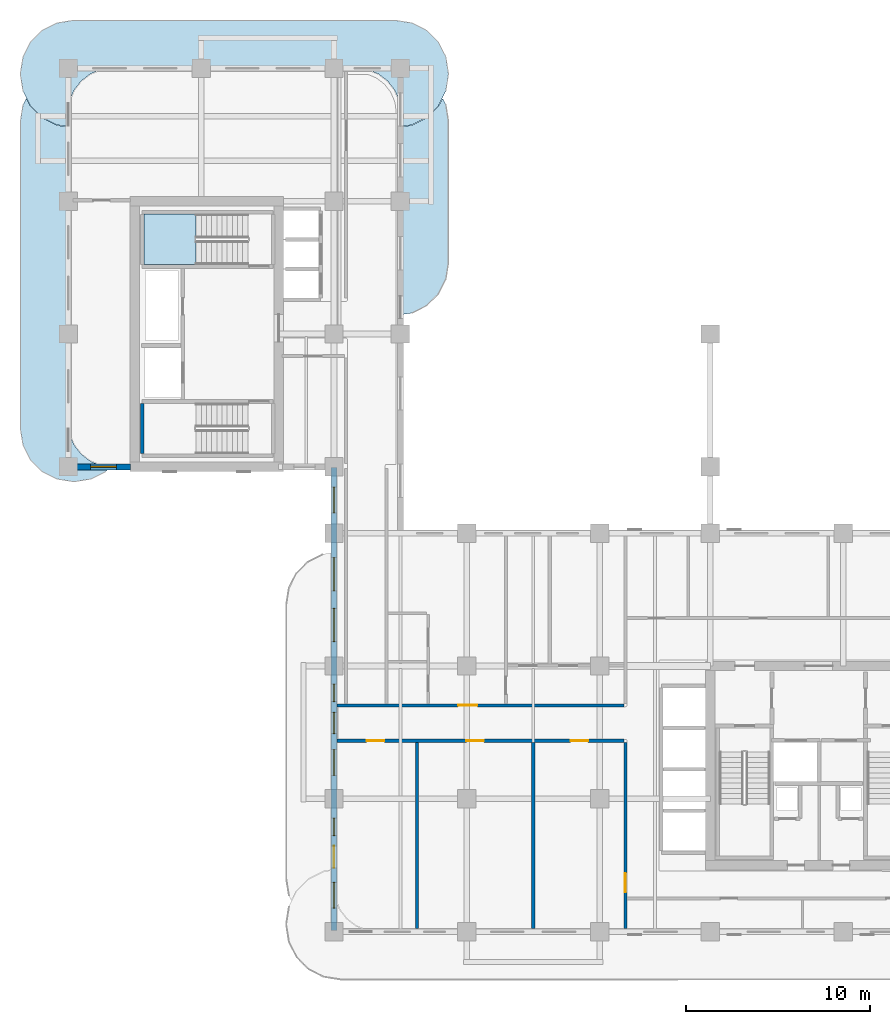
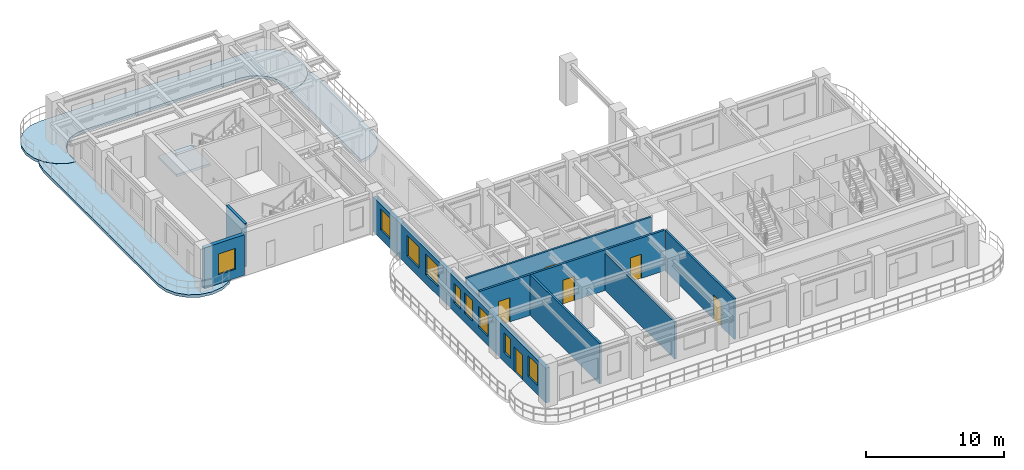
# One storey, part 5 of 15: 9 windows, 8 walls, 6 doors, 4 slabs, 15 openings, 1 element without a shape of its own.
"""IFC4 building model written with IfcOpenShell, lengths in metres."""

from ifc_helpers import new_model, si_unit, derived_unit, direction, frame, frame_2d, origin, place, context, subcontext, project, spatial, polyline, rectangle, outline, extrude, source, transform, mapped, material, layer, layer_set, type_object, type_shapes, element, fill, aggregate, save


model = new_model("IFC4")

# Units and contexts
model_context = context("Model", 3, precision=1e-05, world=origin(), true_north=direction((0.0, 1.0)))
body_context = subcontext(model_context, "Body", "Model", "MODEL_VIEW")
ifc_project = project(units=[si_unit("LENGTHUNIT", "METRE"), si_unit("AREAUNIT", "SQUARE_METRE"), si_unit("VOLUMEUNIT", "CUBIC_METRE"), si_unit("PLANEANGLEUNIT", "RADIAN"), si_unit("MASSUNIT", "GRAM", prefix="KILO"), si_unit("THERMODYNAMICTEMPERATUREUNIT", "KELVIN"), si_unit("POWERUNIT", "WATT"), derived_unit("THERMALTRANSMITTANCEUNIT", [(si_unit("POWERUNIT", "WATT"), 1), (si_unit("AREAUNIT", "SQUARE_METRE"), -1), (si_unit("THERMODYNAMICTEMPERATUREUNIT", "KELVIN"), -1)])], contexts=[model_context])

# Site, building, storey
site_placement = place(None, origin())
site = spatial("IfcSite", under=ifc_project, at=site_placement, CompositionType="ELEMENT")
building_placement = place(site_placement, origin())
building = spatial("IfcBuilding", under=site, at=building_placement, Name="Zahravan Archway Hotel and Residences", CompositionType="ELEMENT")
storey_placement = place(building_placement, frame((0.0, 0.0, 184.949951171875)))
storey = spatial("IfcBuildingStorey", under=building, at=storey_placement, Name="L46", CompositionType="ELEMENT", Elevation=184.949951171875)

# Slabs
ifc_material_1 = material(Name="Concrete C45/55", Category="concrete")
ifc_layer_1 = layer(ifc_material_1, 0.25, Name="Concrete C45/55", Category="concrete")
ifc_layer_set_1 = layer_set([ifc_layer_1], Name="Concrete C45/55")
slab_type_1 = type_object("IfcSlabType", Name="SLB-BALC-250", PredefinedType="FLOOR", material=ifc_layer_set_1)
slab_1_placement = place(storey_placement, frame((0.0, 0.0, -0.25)))
element("IfcSlab", 1, at=slab_1_placement, inside=storey, type_object=slab_type_1, Name="L46 Wing B North Rounded Balcony Band", PredefinedType="FLOOR", context=body_context, shape_type="SweptSolid", body=[
    extrude(outline(polyline([(-0.630615234375, 43.739501953125), (-1.42529296875, 44.144287109375), (-2.0556640625, 44.77490234375), (-2.46044921875, 45.5693359375), (-2.60009765625, 46.449951171875), (-2.60009765625, 46.550048828125), (-2.46044921875, 47.4306640625), (-2.0556640625, 48.22509765625), (-1.42529296875, 48.855712890625), (-0.630615234375, 49.260498046875), (0.25, 49.39990234375), (17.75, 49.39990234375), (18.630615234375, 49.260498046875), (19.42529296875, 48.855712890625), (20.0556640625, 48.22509765625), (20.46044921875, 47.4306640625), (20.60009765625, 46.550048828125), (20.60009765625, 46.449951171875), (20.46044921875, 45.5693359375), (20.0556640625, 44.77490234375), (19.42529296875, 44.144287109375), (18.630615234375, 43.739501953125), (18.02001953125, 43.642822265625), (18.02001953125, 44.39990234375), (18.019775390625, 44.402587890625), (17.93798828125, 45.023681640625), (17.937744140625, 45.025390625), (17.937255859375, 45.027099609375), (17.936767578125, 45.02880859375), (17.697021484375, 45.607666015625), (17.6962890625, 45.609130859375), (17.6953125, 45.610595703125), (17.6943359375, 45.6123046875), (17.31298828125, 46.109375), (17.311767578125, 46.110595703125), (17.310546875, 46.11181640625), (17.309326171875, 46.113037109375), (16.812255859375, 46.494384765625), (16.810791015625, 46.495361328125), (16.80908203125, 46.49609375), (16.8076171875, 46.4970703125), (16.22900390625, 46.73681640625), (16.227294921875, 46.7373046875), (16.2255859375, 46.73779296875), (16.223876953125, 46.738037109375), (15.6025390625, 46.81982421875), (15.60009765625, 46.820068359375), (2.39990234375, 46.820068359375), (2.3974609375, 46.81982421875), (1.776123046875, 46.738037109375), (1.7744140625, 46.73779296875), (1.772705078125, 46.7373046875), (1.77099609375, 46.73681640625), (1.1923828125, 46.4970703125), (1.19091796875, 46.49609375), (1.189208984375, 46.495361328125), (1.187744140625, 46.494384765625), (0.690673828125, 46.113037109375), (0.689453125, 46.11181640625), (0.688232421875, 46.110595703125), (0.68701171875, 46.109375), (0.3056640625, 45.6123046875), (0.3046875, 45.610595703125), (0.3037109375, 45.609130859375), (0.302978515625, 45.607666015625), (0.063232421875, 45.02880859375), (0.062744140625, 45.027099609375), (0.062255859375, 45.025390625), (0.06201171875, 45.023681640625), (-0.019775390625, 44.402587890625), (-0.02001953125, 44.39990234375), (-0.02001953125, 43.642822265625), (-0.630615234375, 43.739501953125)])), origin(), (0.0, 0.0, 1.0), 0.25),
])
slab_2_placement = place(storey_placement, frame((0.0, 0.0, -0.25)))
element("IfcSlab", 2, at=slab_2_placement, inside=storey, type_object=slab_type_1, Name="L46 Wing B West Rounded Balcony Band", PredefinedType="FLOOR", context=body_context, shape_type="SweptSolid", body=[
    extrude(outline(polyline([(2.025146484375, 24.9443359375), (1.230712890625, 24.53955078125), (0.35009765625, 24.39990234375), (0.25, 24.39990234375), (-0.630615234375, 24.53955078125), (-1.42529296875, 24.9443359375), (-2.0556640625, 25.57470703125), (-2.46044921875, 26.369384765625), (-2.60009765625, 27.25), (-2.60009765625, 43.949951171875), (-2.46044921875, 44.830810546875), (-2.28369140625, 45.177978515625), (-2.073486328125, 44.765625), (-2.072509765625, 44.763916015625), (-2.0712890625, 44.76220703125), (-2.06982421875, 44.7607421875), (-1.439208984375, 44.130126953125), (-1.437744140625, 44.12890625), (-1.43603515625, 44.12744140625), (-1.434326171875, 44.12646484375), (-0.639892578125, 43.7216796875), (-0.637939453125, 43.720703125), (-0.635986328125, 43.72021484375), (-0.6337890625, 43.7197265625), (-0.023193359375, 43.623046875), (-0.021240234375, 43.622802734375), (-0.02001953125, 43.622802734375), (-0.02001953125, 27.60009765625), (-0.019775390625, 27.597412109375), (0.06201171875, 26.976318359375), (0.062255859375, 26.974609375), (0.062744140625, 26.972900390625), (0.063232421875, 26.97119140625), (0.302978515625, 26.392333984375), (0.3037109375, 26.390869140625), (0.3046875, 26.389404296875), (0.3056640625, 26.3876953125), (0.68701171875, 25.890625), (0.688232421875, 25.889404296875), (0.689453125, 25.88818359375), (0.690673828125, 25.886962890625), (1.187744140625, 25.505615234375), (1.189208984375, 25.504638671875), (1.19091796875, 25.50390625), (1.1923828125, 25.5029296875), (1.77099609375, 25.26318359375), (1.772705078125, 25.2626953125), (1.7744140625, 25.26220703125), (1.776123046875, 25.261962890625), (2.27685546875, 25.196044921875), (2.025146484375, 24.9443359375)])), origin(), (0.0, 0.0, 1.0), 0.25),
])
slab_3_placement = place(storey_placement, frame((0.0, 0.0, -0.25)))
element("IfcSlab", 3, at=slab_3_placement, inside=storey, type_object=slab_type_1, Name="L46 Wing B East Rounded Balcony Band", PredefinedType="FLOOR", context=body_context, shape_type="SweptSolid", body=[
    extrude(outline(polyline([(20.46044921875, 44.830810546875), (20.60009765625, 43.949951171875), (20.60009765625, 36.25), (20.46044921875, 35.369384765625), (20.0556640625, 34.57470703125), (19.42529296875, 33.9443359375), (18.630615234375, 33.53955078125), (18.02001953125, 33.44287109375), (18.02001953125, 43.622802734375), (18.021240234375, 43.622802734375), (18.023193359375, 43.623046875), (18.6337890625, 43.7197265625), (18.635986328125, 43.72021484375), (18.637939453125, 43.720703125), (18.639892578125, 43.7216796875), (19.434326171875, 44.12646484375), (19.43603515625, 44.12744140625), (19.437744140625, 44.12890625), (19.439208984375, 44.130126953125), (20.06982421875, 44.7607421875), (20.0712890625, 44.76220703125), (20.072509765625, 44.763916015625), (20.073486328125, 44.765625), (20.28369140625, 45.177978515625), (20.46044921875, 44.830810546875)])), origin(), (0.0, 0.0, 1.0), 0.25),
])

# Stair, slab
ifc_material_2 = material(Name="Concrete C50/60", Category="concrete")
stair_type = type_object("IfcStairType", Name="STR-CORE-1300", PredefinedType="HALF_TURN_STAIR", material=ifc_material_2)
stair_placement = place(storey_placement, origin())
stair = element("IfcStair", 4, at=stair_placement, inside=storey, type_object=stair_type, Name="L46 Core B Exit Stair 2", PredefinedType="HALF_TURN_STAIR")
ifc_layer_2 = layer(ifc_material_2, 0.199951171875, Name="Concrete C50/60", Category="concrete")
ifc_layer_set_2 = layer_set([ifc_layer_2], Name="Concrete C50/60")
slab_type_2 = type_object("IfcSlabType", Name="SLB-LND-200", PredefinedType="LANDING", material=ifc_layer_set_2)
slab_4_placement = place(storey_placement, frame((0.0, 0.0, 1.72509765625)))
slab_4 = element("IfcSlab", 5, at=slab_4_placement, type_object=slab_type_2, Name="ST-B2 landing 1", PredefinedType="LANDING", context=body_context, shape_type="SweptSolid", body=[
    extrude(outline(polyline([(6.929931640625, 38.89990234375), (4.10009765625, 38.89990234375), (4.10009765625, 36.159912109375), (6.929931640625, 36.159912109375), (6.929931640625, 38.89990234375)])), origin(), (0.0, 0.0, 1.0), 0.199951171875),
])
aggregate(stair, [slab_4])

# Wall, openings, door, windows
ifc_material_3 = material(Name="Agra Buff Sandstone & Insulated Backup", Category="masonry")
ifc_layer_3 = layer(ifc_material_3, 0.320068359375, Name="Agra Buff Sandstone & Insulated Backup", Category="masonry")
ifc_layer_set_3 = layer_set([ifc_layer_3], Name="Agra Buff Sandstone & Insulated Backup")
wall_type_1 = type_object("IfcWallType", Name="EW-SAND-320", PredefinedType="SOLIDWALL", material=ifc_layer_set_3)
wall_1_placement = place(storey_placement, frame((14.39990234375, 0.050048828125, 0.0), z_axis=(0.0, 0.0, 1.0), x_axis=(0.0, 1.0, 0.0)))
wall_1 = element("IfcWall", 6, at=wall_1_placement, inside=storey, type_object=wall_type_1, Name="L46 Exterior Sandstone Wall WA-WL", PredefinedType="SOLIDWALL", context=body_context, shape_type="SweptSolid", body=[
    extrude(rectangle(XDim=25.099853515625, YDim=0.320068359375, at=frame_2d((12.5498046875, 0.0))), origin(), (0.0, 0.0, 1.0), 3.0849609375),
])
opening_1_placement = place(wall_1_placement, frame((3.39990234375, 0.0, 0.0)))
opening_1 = element("IfcOpeningElement", 7, at=opening_1_placement, cuts=wall_1, Name="Opening ED-BL1", PredefinedType="OPENING", context=body_context, shape_type="SweptSolid", body=[
    extrude(rectangle(XDim=1.199951171875, YDim=2.199951171875, at=frame_2d((0.60009765625, 1.10009765625))), frame((0.0, 0.169921875, 0.0), z_axis=(0.0, -1.0, 0.0), x_axis=(1.0, 0.0, 0.0)), (0.0, 0.0, 1.0), 0.340087890625),
])
opening_2_placement = place(wall_1_placement, frame((1.22509765625, 0.0, 0.800048828125)))
opening_2 = element("IfcOpeningElement", 8, at=opening_2_placement, cuts=wall_1, Name="Opening W-03", PredefinedType="OPENING", context=body_context, shape_type="SweptSolid", body=[
    extrude(rectangle(XDim=1.39990234375, YDim=1.85009765625, at=frame_2d((0.699951171875, 0.925048828125))), frame((0.0, 0.169921875, 0.0), z_axis=(0.0, -1.0, 0.0), x_axis=(1.0, 0.0, 0.0)), (0.0, 0.0, 1.0), 0.340087890625),
])
opening_3_placement = place(wall_1_placement, frame((5.14990234375, 0.0, 0.800048828125)))
opening_3 = element("IfcOpeningElement", 9, at=opening_3_placement, cuts=wall_1, Name="Opening W-04", PredefinedType="OPENING", context=body_context, shape_type="SweptSolid", body=[
    extrude(rectangle(XDim=0.949951171875, YDim=1.75, at=frame_2d((0.47509765625, 0.875))), frame((0.0, 0.169921875, 0.0), z_axis=(0.0, -1.0, 0.0), x_axis=(1.0, 0.0, 0.0)), (0.0, 0.0, 1.0), 0.340087890625),
])
opening_4_placement = place(wall_1_placement, frame((8.4208984375, 0.0, 0.800048828125)))
opening_4 = element("IfcOpeningElement", 10, at=opening_4_placement, cuts=wall_1, Name="Opening W-03", PredefinedType="OPENING", context=body_context, shape_type="SweptSolid", body=[
    extrude(rectangle(XDim=1.39990234375, YDim=1.85009765625, at=frame_2d((0.699951171875, 0.925048828125))), frame((0.0, 0.169921875, 0.0), z_axis=(0.0, -1.0, 0.0), x_axis=(1.0, 0.0, 0.0)), (0.0, 0.0, 1.0), 0.340087890625),
])
opening_5_placement = place(wall_1_placement, frame((10.68505859375, 0.0, 0.800048828125)))
opening_5 = element("IfcOpeningElement", 11, at=opening_5_placement, cuts=wall_1, Name="Opening W-05", PredefinedType="OPENING", context=body_context, shape_type="SweptSolid", body=[
    extrude(rectangle(XDim=1.14990234375, YDim=1.800048828125, at=frame_2d((0.574951171875, 0.89990234375))), frame((0.0, 0.169921875, 0.0), z_axis=(0.0, -1.0, 0.0), x_axis=(1.0, 0.0, 0.0)), (0.0, 0.0, 1.0), 0.340087890625),
])
opening_6_placement = place(wall_1_placement, frame((12.4140625, 0.0, 0.800048828125)))
opening_6 = element("IfcOpeningElement", 12, at=opening_6_placement, cuts=wall_1, Name="Opening W-04", PredefinedType="OPENING", context=body_context, shape_type="SweptSolid", body=[
    extrude(rectangle(XDim=0.949951171875, YDim=1.75, at=frame_2d((0.47509765625, 0.875))), frame((0.0, 0.169921875, 0.0), z_axis=(0.0, -1.0, 0.0), x_axis=(1.0, 0.0, 0.0)), (0.0, 0.0, 1.0), 0.340087890625),
])
opening_7_placement = place(wall_1_placement, frame((15.675048828125, 0.0, 0.800048828125)))
opening_7 = element("IfcOpeningElement", 13, at=opening_7_placement, cuts=wall_1, Name="Opening W-02", PredefinedType="OPENING", context=body_context, shape_type="SweptSolid", body=[
    extrude(rectangle(XDim=1.800048828125, YDim=1.85009765625, at=frame_2d((0.89990234375, 0.925048828125))), frame((0.0, 0.169921875, 0.0), z_axis=(0.0, -1.0, 0.0), x_axis=(1.0, 0.0, 0.0)), (0.0, 0.0, 1.0), 0.340087890625),
])
opening_8_placement = place(wall_1_placement, frame((18.425048828125, 0.0, 0.800048828125)))
opening_8 = element("IfcOpeningElement", 14, at=opening_8_placement, cuts=wall_1, Name="Opening W-02", PredefinedType="OPENING", context=body_context, shape_type="SweptSolid", body=[
    extrude(rectangle(XDim=1.800048828125, YDim=1.85009765625, at=frame_2d((0.89990234375, 0.925048828125))), frame((0.0, 0.169921875, 0.0), z_axis=(0.0, -1.0, 0.0), x_axis=(1.0, 0.0, 0.0)), (0.0, 0.0, 1.0), 0.340087890625),
])
opening_9_placement = place(wall_1_placement, frame((22.64990234375, 0.0, 0.800048828125)))
opening_9 = element("IfcOpeningElement", 15, at=opening_9_placement, cuts=wall_1, Name="Opening W-03", PredefinedType="OPENING", context=body_context, shape_type="SweptSolid", body=[
    extrude(rectangle(XDim=1.39990234375, YDim=1.85009765625, at=frame_2d((0.699951171875, 0.925048828125))), frame((0.0, 0.169921875, 0.0), z_axis=(0.0, -1.0, 0.0), x_axis=(1.0, 0.0, 0.0)), (0.0, 0.0, 1.0), 0.340087890625),
])
ifc_material_4 = material(Name="Bronze-Anodized Glazed Aluminium", Category="aluminium")
door_type_1 = type_object("IfcDoorType", Name="ED-BALC-1200", OperationType="SLIDING_TO_LEFT", PredefinedType="DOOR", material=ifc_material_4)
shared_shape_1 = source(origin(), body_context, "Body", "SweptSolid", [
    extrude(rectangle(XDim=1.199951171875, YDim=2.199951171875, at=frame_2d((0.60009765625, 1.10009765625))), frame((0.0, 0.02490234375, 0.0), z_axis=(0.0, -1.0, 0.0), x_axis=(1.0, 0.0, 0.0)), (0.0, 0.0, 1.0), 0.050048828125),
])
type_shapes(door_type_1, [shared_shape_1])
door_1_placement = place(opening_1_placement, origin())
door_1 = element("IfcDoor", 16, at=door_1_placement, inside=storey, type_object=door_type_1, Name="L46 Outdoor Access Sliding Door (SLB-BAL-L46-WA)", OperationType="SLIDING_TO_LEFT", OverallHeight=2.199951171875, OverallWidth=1.199951171875, PredefinedType="DOOR", context=body_context, shape_type="MappedRepresentation", body=[
    mapped(shared_shape_1, transform((0.0, 0.0, 0.0), scale=1.0)),
])
fill(opening_1, door_1)
ifc_material_5 = material(Name="Bronze-Anodized Thermal-Break Aluminium & Low-E Glass", Category="aluminium")
window_type_1 = type_object("IfcWindowType", Name="WIN-TWR-1400", PartitioningType="SINGLE_PANEL", PredefinedType="WINDOW", material=ifc_material_5)
shared_shape_2 = source(origin(), body_context, "Body", "SweptSolid", [
    extrude(rectangle(XDim=1.39990234375, YDim=1.85009765625, at=frame_2d((0.699951171875, 0.925048828125))), frame((0.0, 0.030029296875, 0.0), z_axis=(0.0, -1.0, 0.0), x_axis=(1.0, 0.0, 0.0)), (0.0, 0.0, 1.0), 0.06005859375),
])
type_shapes(window_type_1, [shared_shape_2])
window_1_placement = place(opening_2_placement, origin())
window_1 = element("IfcWindow", 17, at=window_1_placement, inside=storey, type_object=window_type_1, Name="L46 Loggia Window 20", OverallHeight=1.85009765625, OverallWidth=1.39990234375, PartitioningType="SINGLE_PANEL", PredefinedType="WINDOW", context=body_context, shape_type="MappedRepresentation", body=[
    mapped(shared_shape_2, transform((0.0, 0.0, 0.0), scale=1.0)),
])
fill(opening_2, window_1)
window_2_placement = place(opening_4_placement, origin())
window_2 = element("IfcWindow", 18, at=window_2_placement, inside=storey, type_object=window_type_1, Name="L46 Loggia Window 22", OverallHeight=1.85009765625, OverallWidth=1.39990234375, PartitioningType="SINGLE_PANEL", PredefinedType="WINDOW", context=body_context, shape_type="MappedRepresentation", body=[
    mapped(shared_shape_2, transform((0.0, 0.0, 0.0), scale=1.0)),
])
fill(opening_4, window_2)
window_3_placement = place(opening_9_placement, origin())
window_3 = element("IfcWindow", 19, at=window_3_placement, inside=storey, type_object=window_type_1, Name="L46 Loggia Window 27", OverallHeight=1.85009765625, OverallWidth=1.39990234375, PartitioningType="SINGLE_PANEL", PredefinedType="WINDOW", context=body_context, shape_type="MappedRepresentation", body=[
    mapped(shared_shape_2, transform((0.0, 0.0, 0.0), scale=1.0)),
])
fill(opening_9, window_3)
window_type_2 = type_object("IfcWindowType", Name="WIN-NAR-950", PartitioningType="SINGLE_PANEL", PredefinedType="WINDOW", material=ifc_material_5)
shared_shape_3 = source(origin(), body_context, "Body", "SweptSolid", [
    extrude(rectangle(XDim=0.949951171875, YDim=1.75, at=frame_2d((0.47509765625, 0.875))), frame((0.0, 0.030029296875, 0.0), z_axis=(0.0, -1.0, 0.0), x_axis=(1.0, 0.0, 0.0)), (0.0, 0.0, 1.0), 0.06005859375),
])
type_shapes(window_type_2, [shared_shape_3])
window_4_placement = place(opening_3_placement, origin())
window_4 = element("IfcWindow", 20, at=window_4_placement, inside=storey, type_object=window_type_2, Name="L46 Loggia Window 21", OverallHeight=1.75, OverallWidth=0.949951171875, PartitioningType="SINGLE_PANEL", PredefinedType="WINDOW", context=body_context, shape_type="MappedRepresentation", body=[
    mapped(shared_shape_3, transform((0.0, 0.0, 0.0), scale=1.0)),
])
fill(opening_3, window_4)
window_5_placement = place(opening_6_placement, origin())
window_5 = element("IfcWindow", 21, at=window_5_placement, inside=storey, type_object=window_type_2, Name="L46 Loggia Window 24", OverallHeight=1.75, OverallWidth=0.949951171875, PartitioningType="SINGLE_PANEL", PredefinedType="WINDOW", context=body_context, shape_type="MappedRepresentation", body=[
    mapped(shared_shape_3, transform((0.0, 0.0, 0.0), scale=1.0)),
])
fill(opening_6, window_5)
window_type_3 = type_object("IfcWindowType", Name="WIN-TWR-1800", PartitioningType="DOUBLE_PANEL_VERTICAL", PredefinedType="WINDOW", material=ifc_material_5)
shared_shape_4 = source(origin(), body_context, "Body", "SweptSolid", [
    extrude(rectangle(XDim=1.800048828125, YDim=1.85009765625, at=frame_2d((0.89990234375, 0.925048828125))), frame((0.0, 0.030029296875, 0.0), z_axis=(0.0, -1.0, 0.0), x_axis=(1.0, 0.0, 0.0)), (0.0, 0.0, 1.0), 0.06005859375),
])
type_shapes(window_type_3, [shared_shape_4])
window_6_placement = place(opening_7_placement, origin())
window_6 = element("IfcWindow", 22, at=window_6_placement, inside=storey, type_object=window_type_3, Name="L46 Loggia Window 25", OverallHeight=1.85009765625, OverallWidth=1.800048828125, PartitioningType="DOUBLE_PANEL_VERTICAL", PredefinedType="WINDOW", context=body_context, shape_type="MappedRepresentation", body=[
    mapped(shared_shape_4, transform((0.0, 0.0, 0.0), scale=1.0)),
])
fill(opening_7, window_6)
window_7_placement = place(opening_8_placement, origin())
window_7 = element("IfcWindow", 23, at=window_7_placement, inside=storey, type_object=window_type_3, Name="L46 Loggia Window 26", OverallHeight=1.85009765625, OverallWidth=1.800048828125, PartitioningType="DOUBLE_PANEL_VERTICAL", PredefinedType="WINDOW", context=body_context, shape_type="MappedRepresentation", body=[
    mapped(shared_shape_4, transform((0.0, 0.0, 0.0), scale=1.0)),
])
fill(opening_8, window_7)
window_type_4 = type_object("IfcWindowType", Name="WIN-TWR-1150", PartitioningType="SINGLE_PANEL", PredefinedType="WINDOW", material=ifc_material_5)
shared_shape_5 = source(origin(), body_context, "Body", "SweptSolid", [
    extrude(rectangle(XDim=1.14990234375, YDim=1.800048828125, at=frame_2d((0.574951171875, 0.89990234375))), frame((0.0, 0.030029296875, 0.0), z_axis=(0.0, -1.0, 0.0), x_axis=(1.0, 0.0, 0.0)), (0.0, 0.0, 1.0), 0.06005859375),
])
type_shapes(window_type_4, [shared_shape_5])
window_8_placement = place(opening_5_placement, origin())
window_8 = element("IfcWindow", 24, at=window_8_placement, inside=storey, type_object=window_type_4, Name="L46 Loggia Window 23", OverallHeight=1.800048828125, OverallWidth=1.14990234375, PartitioningType="SINGLE_PANEL", PredefinedType="WINDOW", context=body_context, shape_type="MappedRepresentation", body=[
    mapped(shared_shape_5, transform((0.0, 0.0, 0.0), scale=1.0)),
])
fill(opening_5, window_8)

# Wall, opening, window
wall_2_placement = place(storey_placement, frame((0.0, 25.199951171875, 0.0), z_axis=(0.0, 0.0, 1.0), x_axis=(1.0, 0.0, 0.0)))
wall_2 = element("IfcWall", 25, at=wall_2_placement, inside=storey, type_object=wall_type_1, Name="L46 Exterior Sandstone Wall WB-SW", PredefinedType="SOLIDWALL", context=body_context, shape_type="SweptSolid", body=[
    extrude(rectangle(XDim=3.3798828125, YDim=0.320068359375, at=frame_2d((1.68994140625, 0.0))), origin(), (0.0, 0.0, 1.0), 3.60009765625),
])
opening_10_placement = place(wall_2_placement, frame((1.205078125, 0.0, 0.800048828125)))
opening_10 = element("IfcOpeningElement", 26, at=opening_10_placement, cuts=wall_2, Name="Opening W-03", PredefinedType="OPENING", context=body_context, shape_type="SweptSolid", body=[
    extrude(rectangle(XDim=1.39990234375, YDim=1.85009765625, at=frame_2d((0.699951171875, 0.925048828125))), frame((0.0, 0.169921875, 0.0), z_axis=(0.0, -1.0, 0.0), x_axis=(1.0, 0.0, 0.0)), (0.0, 0.0, 1.0), 0.340087890625),
])
window_9_placement = place(opening_10_placement, origin())
window_9 = element("IfcWindow", 27, at=window_9_placement, inside=storey, type_object=window_type_1, Name="L46 Loggia Window 29", OverallHeight=1.85009765625, OverallWidth=1.39990234375, PartitioningType="SINGLE_PANEL", PredefinedType="WINDOW", context=body_context, shape_type="MappedRepresentation", body=[
    mapped(shared_shape_2, transform((0.0, 0.0, 0.0), scale=1.0)),
])
fill(opening_10, window_9)

# Wall, opening, door
ifc_material_6 = material(Name="Fire-Rated Gypsum & Concrete Block", Category="concrete")
ifc_layer_4 = layer(ifc_material_6, 0.159912109375, Name="Fire-Rated Gypsum & Concrete Block", Category="concrete")
ifc_layer_set_4 = layer_set([ifc_layer_4], Name="Fire-Rated Gypsum & Concrete Block")
wall_type_2 = type_object("IfcWallType", Name="PW-CORR-160", PredefinedType="PARTITIONING", material=ifc_layer_set_4)
wall_3_placement = place(storey_placement, frame((14.568115234375, 12.27001953125, 0.0), z_axis=(0.0, 0.0, 1.0), x_axis=(1.0, 0.0, 0.0)))
wall_3 = element("IfcWall", 28, at=wall_3_placement, inside=storey, type_object=wall_type_2, Name="L46 Partition WA-CN", PredefinedType="PARTITIONING", context=body_context, shape_type="SweptSolid", body=[
    extrude(rectangle(XDim=15.5419921875, YDim=0.159912109375, at=frame_2d((7.77099609375, 0.0))), origin(), (0.0, 0.0, 1.0), 3.60009765625),
])
opening_11_placement = place(wall_3_placement, frame((6.556884765625, 0.0, 0.0)))
opening_11 = element("IfcOpeningElement", 29, at=opening_11_placement, cuts=wall_3, Name="Opening D-U1", PredefinedType="OPENING", context=body_context, shape_type="SweptSolid", body=[
    extrude(rectangle(XDim=1.050048828125, YDim=2.25, at=frame_2d((0.52490234375, 1.125))), frame((0.0, 0.08984375, 0.0), z_axis=(0.0, -1.0, 0.0), x_axis=(1.0, 0.0, 0.0)), (0.0, 0.0, 1.0), 0.179931640625),
])
ifc_material_7 = material(Name="Hardwood Veneer Timber", Category="wood")
door_type_2 = type_object("IfcDoorType", Name="ID-UNIT-1050", OperationType="NOTDEFINED", PredefinedType="DOOR", material=ifc_material_7)
shared_shape_6 = source(origin(), body_context, "Body", "SweptSolid", [
    extrude(rectangle(XDim=1.050048828125, YDim=2.25, at=frame_2d((0.52490234375, 1.125))), frame((0.0, 0.02490234375, 0.0), z_axis=(0.0, -1.0, 0.0), x_axis=(1.0, 0.0, 0.0)), (0.0, 0.0, 1.0), 0.050048828125),
])
type_shapes(door_type_2, [shared_shape_6])
door_2_placement = place(opening_11_placement, origin())
door_2 = element("IfcDoor", 30, at=door_2_placement, inside=storey, type_object=door_type_2, Name="L46 Flat HN1 Entrance Door", OperationType="SINGLE_SWING_LEFT", OverallHeight=2.25, OverallWidth=1.050048828125, PredefinedType="DOOR", context=body_context, shape_type="MappedRepresentation", body=[
    mapped(shared_shape_6, transform((0.0, 0.0, 0.0), scale=1.0)),
])
fill(opening_11, door_2)

wall_4_placement = place(storey_placement, frame((30.199951171875, 0.16796875, 0.0), z_axis=(0.0, 0.0, 1.0), x_axis=(0.0, 1.0, 0.0)))
wall_4 = element("IfcWall", 31, at=wall_4_placement, inside=storey, type_object=wall_type_2, Name="L46 Partition WA-SRW", PredefinedType="PARTITIONING", context=body_context, shape_type="SweptSolid", body=[
    extrude(rectangle(XDim=10.092041015625, YDim=0.159912109375, at=frame_2d((5.0458984375, 0.0))), origin(), (0.0, 0.0, 1.0), 3.60009765625),
])
opening_12_placement = place(wall_4_placement, frame((1.95703125, 0.0, 0.0)))
opening_12 = element("IfcOpeningElement", 32, at=opening_12_placement, cuts=wall_4, Name="Opening FD-L2", PredefinedType="OPENING", context=body_context, shape_type="SweptSolid", body=[
    extrude(rectangle(XDim=1.050048828125, YDim=2.14990234375, at=frame_2d((0.52490234375, 1.074951171875))), frame((0.0, 0.08984375, 0.0), z_axis=(0.0, -1.0, 0.0), x_axis=(1.0, 0.0, 0.0)), (0.0, 0.0, 1.0), 0.179931640625),
])
ifc_material_8 = material(Name="Fire-Rated Painted Steel", Category="steel")
door_type_3 = type_object("IfcDoorType", Name="FD-LOBBY-1100", OperationType="NOTDEFINED", PredefinedType="DOOR", material=ifc_material_8)
shared_shape_7 = source(origin(), body_context, "Body", "SweptSolid", [
    extrude(rectangle(XDim=1.050048828125, YDim=2.14990234375, at=frame_2d((0.52490234375, 1.074951171875))), frame((0.0, 0.02490234375, 0.0), z_axis=(0.0, -1.0, 0.0), x_axis=(1.0, 0.0, 0.0)), (0.0, 0.0, 1.0), 0.050048828125),
])
type_shapes(door_type_3, [shared_shape_7])
door_3_placement = place(opening_12_placement, origin())
door_3 = element("IfcDoor", 33, at=door_3_placement, inside=storey, type_object=door_type_3, Name="L46 South Riser Corridor Door", OperationType="SINGLE_SWING_LEFT", OverallHeight=2.14990234375, OverallWidth=1.050048828125, PredefinedType="DOOR", context=body_context, shape_type="MappedRepresentation", body=[
    mapped(shared_shape_7, transform((0.0, 0.0, 0.0), scale=1.0)),
])
fill(opening_12, door_3)

# Wall, openings, doors
ifc_layer_5 = layer(ifc_material_6, 0.179931640625, Name="Fire-Rated Gypsum & Concrete Block", Category="concrete")
ifc_layer_set_5 = layer_set([ifc_layer_5], Name="Fire-Rated Gypsum & Concrete Block")
wall_type_3 = type_object("IfcWallType", Name="PW-CORR-180", PredefinedType="PARTITIONING", material=ifc_layer_set_5)
wall_5_placement = place(storey_placement, frame((14.568115234375, 10.35009765625, 0.0), z_axis=(0.0, 0.0, 1.0), x_axis=(1.0, 0.0, 0.0)))
wall_5 = element("IfcWall", 34, at=wall_5_placement, inside=storey, type_object=wall_type_3, Name="L46 Partition WA-CS", PredefinedType="PARTITIONING", context=body_context, shape_type="SweptSolid", body=[
    extrude(rectangle(XDim=15.5419921875, YDim=0.179931640625, at=frame_2d((7.77099609375, 0.0))), origin(), (0.0, 0.0, 1.0), 3.60009765625),
])
opening_13_placement = place(wall_5_placement, frame((1.60693359375, 0.0, 0.0)))
opening_13 = element("IfcOpeningElement", 35, at=opening_13_placement, cuts=wall_5, Name="Opening D-I1", PredefinedType="OPENING", context=body_context, shape_type="SweptSolid", body=[
    extrude(rectangle(XDim=0.949951171875, YDim=2.14990234375, at=frame_2d((0.47509765625, 1.074951171875))), frame((0.0, 0.10009765625, 0.0), z_axis=(0.0, -1.0, 0.0), x_axis=(1.0, 0.0, 0.0)), (0.0, 0.0, 1.0), 0.199951171875),
])
opening_14_placement = place(wall_5_placement, frame((7.007080078125, 0.0, 0.0)))
opening_14 = element("IfcOpeningElement", 36, at=opening_14_placement, cuts=wall_5, Name="Opening D-I1", PredefinedType="OPENING", context=body_context, shape_type="SweptSolid", body=[
    extrude(rectangle(XDim=0.949951171875, YDim=2.14990234375, at=frame_2d((0.47509765625, 1.074951171875))), frame((0.0, 0.10009765625, 0.0), z_axis=(0.0, -1.0, 0.0), x_axis=(1.0, 0.0, 0.0)), (0.0, 0.0, 1.0), 0.199951171875),
])
opening_15_placement = place(wall_5_placement, frame((12.656982421875, 0.0, 0.0)))
opening_15 = element("IfcOpeningElement", 37, at=opening_15_placement, cuts=wall_5, Name="Opening D-I1", PredefinedType="OPENING", context=body_context, shape_type="SweptSolid", body=[
    extrude(rectangle(XDim=0.949951171875, YDim=2.14990234375, at=frame_2d((0.47509765625, 1.074951171875))), frame((0.0, 0.10009765625, 0.0), z_axis=(0.0, -1.0, 0.0), x_axis=(1.0, 0.0, 0.0)), (0.0, 0.0, 1.0), 0.199951171875),
])
door_type_4 = type_object("IfcDoorType", Name="ID-INT-950", OperationType="NOTDEFINED", PredefinedType="DOOR", material=ifc_material_7)
shared_shape_8 = source(origin(), body_context, "Body", "SweptSolid", [
    extrude(rectangle(XDim=0.949951171875, YDim=2.14990234375, at=frame_2d((0.47509765625, 1.074951171875))), frame((0.0, 0.02490234375, 0.0), z_axis=(0.0, -1.0, 0.0), x_axis=(1.0, 0.0, 0.0)), (0.0, 0.0, 1.0), 0.050048828125),
])
type_shapes(door_type_4, [shared_shape_8])
door_4_placement = place(opening_13_placement, origin())
door_4 = element("IfcDoor", 38, at=door_4_placement, inside=storey, type_object=door_type_4, Name="L46 Seminar Room 1 Door", OperationType="SINGLE_SWING_RIGHT", OverallHeight=2.14990234375, OverallWidth=0.949951171875, PredefinedType="DOOR", context=body_context, shape_type="MappedRepresentation", body=[
    mapped(shared_shape_8, transform((0.0, 0.0, 0.0), scale=1.0)),
])
fill(opening_13, door_4)
door_5_placement = place(opening_14_placement, origin())
door_5 = element("IfcDoor", 39, at=door_5_placement, inside=storey, type_object=door_type_4, Name="L46 Seminar Room 2 Door", OperationType="SINGLE_SWING_LEFT", OverallHeight=2.14990234375, OverallWidth=0.949951171875, PredefinedType="DOOR", context=body_context, shape_type="MappedRepresentation", body=[
    mapped(shared_shape_8, transform((0.0, 0.0, 0.0), scale=1.0)),
])
fill(opening_14, door_5)
door_6_placement = place(opening_15_placement, origin())
door_6 = element("IfcDoor", 40, at=door_6_placement, inside=storey, type_object=door_type_4, Name="L46 Boardroom 3 Door", OperationType="SINGLE_SWING_RIGHT", OverallHeight=2.14990234375, OverallWidth=0.949951171875, PredefinedType="DOOR", context=body_context, shape_type="MappedRepresentation", body=[
    mapped(shared_shape_8, transform((0.0, 0.0, 0.0), scale=1.0)),
])
fill(opening_15, door_6)

# Walls
ifc_material_9 = material(Name="Acoustic Stud Partition")
ifc_layer_6 = layer(ifc_material_9, 0.169921875, Name="Acoustic Stud Partition")
ifc_layer_set_6 = layer_set([ifc_layer_6], Name="Acoustic Stud Partition")
wall_type_4 = type_object("IfcWallType", Name="PW-UNIT-170", PredefinedType="PARTITIONING", material=ifc_layer_set_6)
wall_6_placement = place(storey_placement, frame((18.89990234375, 0.16796875, 0.0), z_axis=(0.0, 0.0, 1.0), x_axis=(0.0, 1.0, 0.0)))
element("IfcWall", 41, at=wall_6_placement, inside=storey, type_object=wall_type_4, Name="L46 Partition WAS-UP1A", PredefinedType="PARTITIONING", context=body_context, shape_type="SweptSolid", body=[
    extrude(rectangle(XDim=10.092041015625, YDim=0.169921875, at=frame_2d((5.0458984375, 0.0))), origin(), (0.0, 0.0, 1.0), 3.60009765625),
])
wall_7_placement = place(storey_placement, frame((25.199951171875, 0.16796875, 0.0), z_axis=(0.0, 0.0, 1.0), x_axis=(0.0, 1.0, 0.0)))
element("IfcWall", 42, at=wall_7_placement, inside=storey, type_object=wall_type_4, Name="L46 Partition WAS-UP1B", PredefinedType="PARTITIONING", context=body_context, shape_type="SweptSolid", body=[
    extrude(rectangle(XDim=10.092041015625, YDim=0.169921875, at=frame_2d((5.0458984375, 0.0))), origin(), (0.0, 0.0, 1.0), 3.28515625),
])
ifc_layer_7 = layer(ifc_material_2, 0.199951171875, Name="Concrete C50/60", Category="concrete")
ifc_layer_set_7 = layer_set([ifc_layer_7], Name="Concrete C50/60")
wall_type_5 = type_object("IfcWallType", Name="SW-STAIR-200", PredefinedType="SHEAR", material=ifc_layer_set_7)
wall_8_placement = place(storey_placement, frame((4.0, 25.919921875, 0.0), z_axis=(0.0, 0.0, 1.0), x_axis=(0.0, 1.0, 0.0)))
element("IfcWall", 43, at=wall_8_placement, inside=storey, type_object=wall_type_5, Name="L46 Stairwell RC Wall CB-SB1W", PredefinedType="SHEAR", context=body_context, shape_type="SweptSolid", body=[
    extrude(rectangle(XDim=2.7001953125, YDim=0.199951171875, at=frame_2d((1.35009765625, 0.0))), origin(), (0.0, 0.0, 1.0), 3.85009765625),
])

save(model, "model.ifc")
